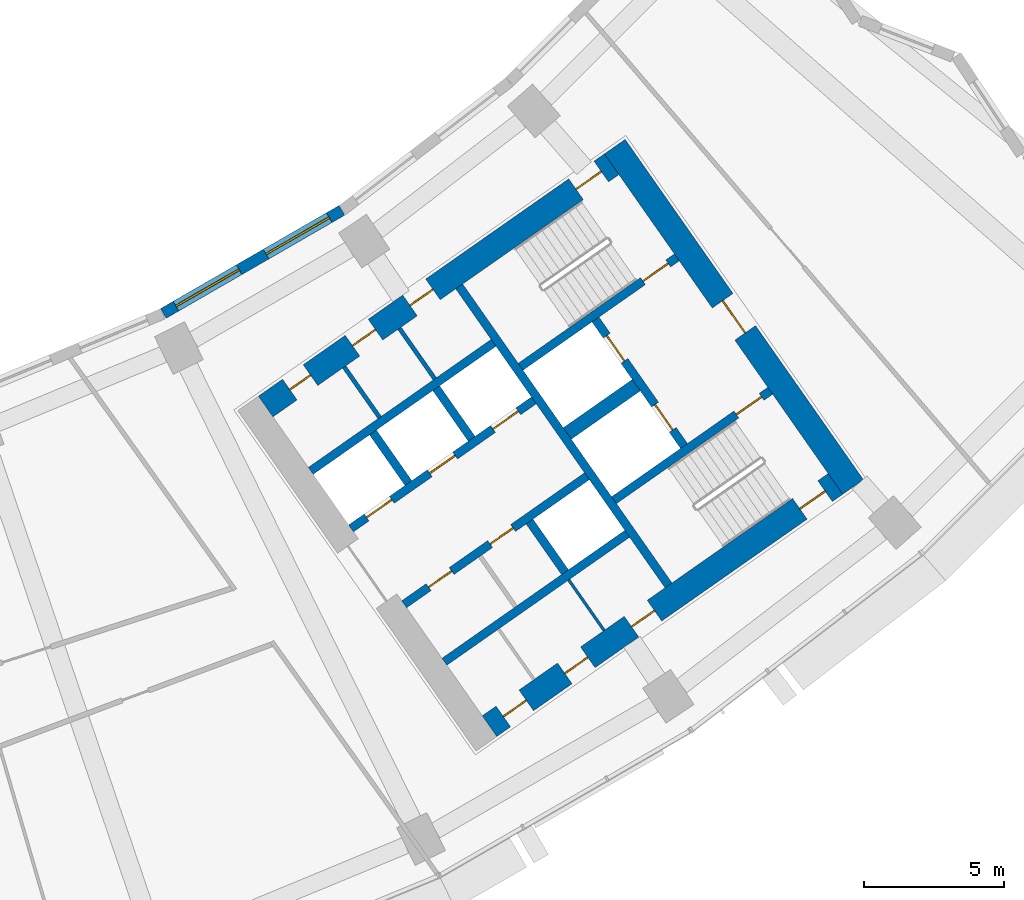
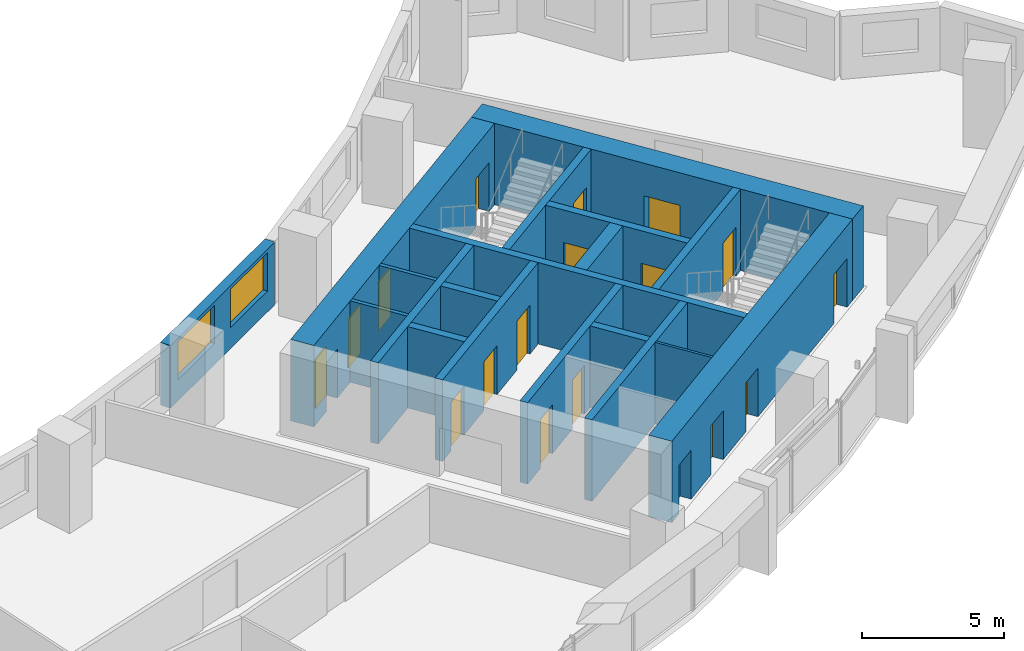
# One storey, part 7 of 29: 19 walls, 18 doors, 2 windows, 20 openings.
"""IFC4 building model written with IfcOpenShell, lengths in metres."""

from ifc_helpers import new_model, si_unit, direction, frame, frame_2d, origin, place, context, subcontext, project, spatial, rectangle, extrude, material, layer, layer_set, type_object, element, fill, save


model = new_model("IFC4")

# Units and contexts
model_context = context("Model", 3, precision=1e-05, world=origin(), true_north=direction((0.0, 1.0)))
body_context = subcontext(model_context, "Body", "Model", "MODEL_VIEW")
ifc_project = project(units=[si_unit("LENGTHUNIT", "METRE"), si_unit("AREAUNIT", "SQUARE_METRE"), si_unit("VOLUMEUNIT", "CUBIC_METRE"), si_unit("PLANEANGLEUNIT", "RADIAN"), si_unit("MASSUNIT", "GRAM", prefix="KILO")], contexts=[model_context])

# Site, building, storey
site_placement = place(None, origin())
site = spatial("IfcSite", under=ifc_project, at=site_placement, CompositionType="ELEMENT")
building_placement = place(site_placement, origin())
building = spatial("IfcBuilding", under=site, at=building_placement, Name="Qamariyya Broadcast Tower", CompositionType="ELEMENT")
storey_placement = place(building_placement, frame((0.0, 0.0, 129.10009765625)))
storey = spatial("IfcBuildingStorey", under=building, at=storey_placement, Name="L29", CompositionType="ELEMENT", Elevation=129.10009765625)

# Wall, opening, door
ifc_material_1 = material(Name="Concrete C70/85", Category="concrete")
ifc_layer_1 = layer(ifc_material_1, 0.89990234375)
ifc_layer_set_1 = layer_set([ifc_layer_1], Name="Core wall 900 mm Concrete C70/85")
wall_type_1 = type_object("IfcWallType", Name="Core wall 900 mm Concrete C70/85", PredefinedType="SHEAR", material=ifc_layer_set_1)
wall_1_placement = place(storey_placement, frame((49.778564453125, -57.191162109375, 0.0), z_axis=(0.0, 0.0, 1.0), x_axis=(-0.573577477574, 0.819151315216, 0.0)))
wall_1 = element("IfcWall", 1, at=wall_1_placement, inside=storey, type_object=wall_type_1, Name="k-E-L29-WH", PredefinedType="SHEAR", context=body_context, shape_type="SweptSolid", body=[
    extrude(rectangle(XDim=14.800048828125, YDim=0.89990234375, at=frame_2d((7.39990234375, 0.0))), origin(), (0.0, 0.0, 1.0), 3.5),
])
opening_1_placement = place(wall_1_placement, frame((6.699951171875, 0.0, 0.0)))
opening_1 = element("IfcOpeningElement", 2, at=opening_1_placement, cuts=wall_1, Name="Opening KD2-E1", PredefinedType="OPENING", context=body_context, shape_type="SweptSolid", body=[
    extrude(rectangle(XDim=1.39990234375, YDim=2.10009765625, at=frame_2d((0.699951171875, 1.050048828125))), frame((0.0, 0.4599609375, 0.0), z_axis=(0.0, -1.0, 0.0), x_axis=(1.0, 0.0, 0.0)), (0.0, 0.0, 1.0), 0.919921875),
])
ifc_material_2 = material(Name="Steel fire-resisting door leaf", Category="steel")
door_type_1 = type_object("IfcDoorType", Name="Fire-fighting lobby door KD2", OperationType="DOUBLE_DOOR_SINGLE_SWING", PredefinedType="DOOR", material=ifc_material_2)
door_1_placement = place(opening_1_placement, origin())
door_1 = element("IfcDoor", 3, at=door_1_placement, inside=storey, type_object=door_type_1, Name="k-E-L29-WH-D15", OperationType="DOUBLE_DOOR_SINGLE_SWING", OverallHeight=2.10009765625, OverallWidth=1.39990234375, PredefinedType="DOOR", context=body_context, shape_type="SweptSolid", body=[
    extrude(rectangle(XDim=1.39990234375, YDim=2.10009765625, at=frame_2d((0.699951171875, 1.050048828125))), frame((0.0, 0.02490234375, 0.0), z_axis=(0.0, -1.0, 0.0), x_axis=(1.0, 0.0, 0.0)), (0.0, 0.0, 1.0), 0.050048828125),
])
fill(opening_1, door_1)

# Wall, openings, doors
wall_2_placement = place(storey_placement, frame((28.8544921875, -54.32421875, 0.0), z_axis=(0.0, 0.0, 1.0), x_axis=(0.819145767589, 0.573585400304, 0.0)))
wall_2 = element("IfcWall", 4, at=wall_2_placement, inside=storey, type_object=wall_type_1, Name="k-E-L29-WI", PredefinedType="SHEAR", context=body_context, shape_type="SweptSolid", body=[
    extrude(rectangle(XDim=15.04541015625, YDim=0.89990234375, at=frame_2d((7.522705078125, 0.0))), origin(), (0.0, 0.0, 1.0), 3.5),
])
opening_2_placement = place(wall_2_placement, frame((1.050048828125, 0.0, 0.0)))
opening_2 = element("IfcOpeningElement", 5, at=opening_2_placement, cuts=wall_2, Name="Opening KD5-E1", PredefinedType="OPENING", context=body_context, shape_type="SweptSolid", body=[
    extrude(rectangle(XDim=0.89990234375, YDim=2.10009765625, at=frame_2d((0.449951171875, 1.050048828125))), frame((0.0, 0.4599609375, 0.0), z_axis=(0.0, -1.0, 0.0), x_axis=(1.0, 0.0, 0.0)), (0.0, 0.0, 1.0), 0.919921875),
])
opening_3_placement = place(wall_2_placement, frame((3.77490234375, 0.0, 0.0)))
opening_3 = element("IfcOpeningElement", 6, at=opening_3_placement, cuts=wall_2, Name="Opening KD7-E1", PredefinedType="OPENING", context=body_context, shape_type="SweptSolid", body=[
    extrude(rectangle(XDim=1.0, YDim=2.10009765625, at=frame_2d((0.5, 1.050048828125))), frame((0.0, 0.4599609375, 0.0), z_axis=(0.0, -1.0, 0.0), x_axis=(1.0, 0.0, 0.0)), (0.0, 0.0, 1.0), 0.919921875),
])
opening_4_placement = place(wall_2_placement, frame((6.27490234375, 0.0, 0.0)))
opening_4 = element("IfcOpeningElement", 7, at=opening_4_placement, cuts=wall_2, Name="Opening KD6-E3", PredefinedType="OPENING", context=body_context, shape_type="SweptSolid", body=[
    extrude(rectangle(XDim=1.0, YDim=2.10009765625, at=frame_2d((0.5, 1.050048828125))), frame((0.0, 0.4599609375, 0.0), z_axis=(0.0, -1.0, 0.0), x_axis=(1.0, 0.0, 0.0)), (0.0, 0.0, 1.0), 0.919921875),
])
opening_5_placement = place(wall_2_placement, frame((13.495361328125, 0.0, 0.0)))
opening_5 = element("IfcOpeningElement", 8, at=opening_5_placement, cuts=wall_2, Name="Opening KD1-E1", PredefinedType="OPENING", context=body_context, shape_type="SweptSolid", body=[
    extrude(rectangle(XDim=1.10009765625, YDim=2.10009765625, at=frame_2d((0.550048828125, 1.050048828125))), frame((0.0, 0.4599609375, 0.0), z_axis=(0.0, -1.0, 0.0), x_axis=(1.0, 0.0, 0.0)), (0.0, 0.0, 1.0), 0.919921875),
])
door_type_2 = type_object("IfcDoorType", Name="Accessible toilet door KD7", OperationType="SINGLE_SWING_LEFT", PredefinedType="DOOR", material=ifc_material_2)
door_2_placement = place(opening_3_placement, origin())
door_2 = element("IfcDoor", 9, at=door_2_placement, inside=storey, type_object=door_type_2, Name="k-E-L29-WI-D8", OperationType="SINGLE_SWING_RIGHT", OverallHeight=2.10009765625, OverallWidth=1.0, PredefinedType="DOOR", context=body_context, shape_type="SweptSolid", body=[
    extrude(rectangle(XDim=1.0, YDim=2.10009765625, at=frame_2d((0.5, 1.050048828125))), frame((0.0, 0.02490234375, 0.0), z_axis=(0.0, -1.0, 0.0), x_axis=(1.0, 0.0, 0.0)), (0.0, 0.0, 1.0), 0.050048828125),
])
fill(opening_3, door_2)
door_type_3 = type_object("IfcDoorType", Name="Core room door KD6", OperationType="SINGLE_SWING_LEFT", PredefinedType="DOOR", material=ifc_material_2)
door_3_placement = place(opening_4_placement, origin())
door_3 = element("IfcDoor", 10, at=door_3_placement, inside=storey, type_object=door_type_3, Name="k-E-L29-WI-D9", OperationType="SINGLE_SWING_LEFT", OverallHeight=2.10009765625, OverallWidth=1.0, PredefinedType="DOOR", context=body_context, shape_type="SweptSolid", body=[
    extrude(rectangle(XDim=1.0, YDim=2.10009765625, at=frame_2d((0.5, 1.050048828125))), frame((0.0, 0.02490234375, 0.0), z_axis=(0.0, -1.0, 0.0), x_axis=(1.0, 0.0, 0.0)), (0.0, 0.0, 1.0), 0.050048828125),
])
fill(opening_4, door_3)
door_type_4 = type_object("IfcDoorType", Name="Stair door KD1", OperationType="SINGLE_SWING_LEFT", PredefinedType="DOOR", material=ifc_material_2)
door_4_placement = place(opening_5_placement, origin())
door_4 = element("IfcDoor", 11, at=door_4_placement, inside=storey, type_object=door_type_4, Name="k-E-L29-WI-D16", OperationType="SINGLE_SWING_RIGHT", OverallHeight=2.10009765625, OverallWidth=1.10009765625, PredefinedType="DOOR", context=body_context, shape_type="SweptSolid", body=[
    extrude(rectangle(XDim=1.10009765625, YDim=2.10009765625, at=frame_2d((0.550048828125, 1.050048828125))), frame((0.0, 0.02490234375, 0.0), z_axis=(0.0, -1.0, 0.0), x_axis=(1.0, 0.0, 0.0)), (0.0, 0.0, 1.0), 0.050048828125),
])
fill(opening_5, door_4)
door_type_5 = type_object("IfcDoorType", Name="Toilet door KD5", OperationType="SINGLE_SWING_LEFT", PredefinedType="DOOR", material=ifc_material_2)
door_5_placement = place(opening_2_placement, origin())
door_5 = element("IfcDoor", 12, at=door_5_placement, inside=storey, type_object=door_type_5, Name="k-E-L29-WI-D7", OperationType="SINGLE_SWING_LEFT", OverallHeight=2.10009765625, OverallWidth=0.89990234375, PredefinedType="DOOR", context=body_context, shape_type="SweptSolid", body=[
    extrude(rectangle(XDim=0.89990234375, YDim=2.10009765625, at=frame_2d((0.449951171875, 1.050048828125))), frame((0.0, 0.02490234375, 0.0), z_axis=(0.0, -1.0, 0.0), x_axis=(1.0, 0.0, 0.0)), (0.0, 0.0, 1.0), 0.050048828125),
])
fill(opening_2, door_5)

wall_3_placement = place(storey_placement, frame((36.827392578125, -65.710205078125, 0.0), z_axis=(0.0, 0.0, 1.0), x_axis=(0.819153391756, 0.573574511963, 0.0)))
wall_3 = element("IfcWall", 13, at=wall_3_placement, inside=storey, type_object=wall_type_1, Name="k-E-L29-WO", PredefinedType="SHEAR", context=body_context, shape_type="SweptSolid", body=[
    extrude(rectangle(XDim=15.04541015625, YDim=0.89990234375, at=frame_2d((7.522705078125, 0.0))), origin(), (0.0, 0.0, 1.0), 3.5),
])
opening_6_placement = place(wall_3_placement, frame((0.60009765625, 0.0, 0.0)))
opening_6 = element("IfcOpeningElement", 14, at=opening_6_placement, cuts=wall_3, Name="Opening KD4-E1", PredefinedType="OPENING", context=body_context, shape_type="SweptSolid", body=[
    extrude(rectangle(XDim=1.0, YDim=2.10009765625, at=frame_2d((0.5, 1.050048828125))), frame((0.0, 0.4599609375, 0.0), z_axis=(0.0, -1.0, 0.0), x_axis=(1.0, 0.0, 0.0)), (0.0, 0.0, 1.0), 0.919921875),
])
opening_7_placement = place(wall_3_placement, frame((3.27490234375, 0.0, 0.0)))
opening_7 = element("IfcOpeningElement", 15, at=opening_7_placement, cuts=wall_3, Name="Opening KD4-E2", PredefinedType="OPENING", context=body_context, shape_type="SweptSolid", body=[
    extrude(rectangle(XDim=1.0, YDim=2.10009765625, at=frame_2d((0.5, 1.050048828125))), frame((0.0, 0.4599609375, 0.0), z_axis=(0.0, -1.0, 0.0), x_axis=(1.0, 0.0, 0.0)), (0.0, 0.0, 1.0), 0.919921875),
])
opening_8_placement = place(wall_3_placement, frame((6.175048828125, 0.0, 0.0)))
opening_8 = element("IfcOpeningElement", 16, at=opening_8_placement, cuts=wall_3, Name="Opening KD4-E3", PredefinedType="OPENING", context=body_context, shape_type="SweptSolid", body=[
    extrude(rectangle(XDim=1.0, YDim=2.10009765625, at=frame_2d((0.5, 1.050048828125))), frame((0.0, 0.4599609375, 0.0), z_axis=(0.0, -1.0, 0.0), x_axis=(1.0, 0.0, 0.0)), (0.0, 0.0, 1.0), 0.919921875),
])
opening_9_placement = place(wall_3_placement, frame((13.495361328125, 0.0, 0.0)))
opening_9 = element("IfcOpeningElement", 17, at=opening_9_placement, cuts=wall_3, Name="Opening KD1-E3", PredefinedType="OPENING", context=body_context, shape_type="SweptSolid", body=[
    extrude(rectangle(XDim=1.10009765625, YDim=2.10009765625, at=frame_2d((0.550048828125, 1.050048828125))), frame((0.0, 0.4599609375, 0.0), z_axis=(0.0, -1.0, 0.0), x_axis=(1.0, 0.0, 0.0)), (0.0, 0.0, 1.0), 0.919921875),
])
door_type_6 = type_object("IfcDoorType", Name="Riser and plant door KD4", OperationType="SINGLE_SWING_LEFT", PredefinedType="DOOR", material=ifc_material_2)
door_6_placement = place(opening_6_placement, origin())
door_6 = element("IfcDoor", 18, at=door_6_placement, inside=storey, type_object=door_type_6, Name="k-E-L29-WO-D10", OperationType="SINGLE_SWING_RIGHT", OverallHeight=2.10009765625, OverallWidth=1.0, PredefinedType="DOOR", context=body_context, shape_type="SweptSolid", body=[
    extrude(rectangle(XDim=1.0, YDim=2.10009765625, at=frame_2d((0.5, 1.050048828125))), frame((0.0, 0.02490234375, 0.0), z_axis=(0.0, -1.0, 0.0), x_axis=(1.0, 0.0, 0.0)), (0.0, 0.0, 1.0), 0.050048828125),
])
fill(opening_6, door_6)
door_7_placement = place(opening_7_placement, origin())
door_7 = element("IfcDoor", 19, at=door_7_placement, inside=storey, type_object=door_type_6, Name="k-E-L29-WO-D11", OperationType="SINGLE_SWING_LEFT", OverallHeight=2.10009765625, OverallWidth=1.0, PredefinedType="DOOR", context=body_context, shape_type="SweptSolid", body=[
    extrude(rectangle(XDim=1.0, YDim=2.10009765625, at=frame_2d((0.5, 1.050048828125))), frame((0.0, 0.02490234375, 0.0), z_axis=(0.0, -1.0, 0.0), x_axis=(1.0, 0.0, 0.0)), (0.0, 0.0, 1.0), 0.050048828125),
])
fill(opening_7, door_7)
door_8_placement = place(opening_8_placement, origin())
door_8 = element("IfcDoor", 20, at=door_8_placement, inside=storey, type_object=door_type_6, Name="k-E-L29-WO-D12", OperationType="SINGLE_SWING_RIGHT", OverallHeight=2.10009765625, OverallWidth=1.0, PredefinedType="DOOR", context=body_context, shape_type="SweptSolid", body=[
    extrude(rectangle(XDim=1.0, YDim=2.10009765625, at=frame_2d((0.5, 1.050048828125))), frame((0.0, 0.02490234375, 0.0), z_axis=(0.0, -1.0, 0.0), x_axis=(1.0, 0.0, 0.0)), (0.0, 0.0, 1.0), 0.050048828125),
])
fill(opening_8, door_8)
door_9_placement = place(opening_9_placement, origin())
door_9 = element("IfcDoor", 21, at=door_9_placement, inside=storey, type_object=door_type_4, Name="k-E-L29-WO-D18", OperationType="SINGLE_SWING_LEFT", OverallHeight=2.10009765625, OverallWidth=1.10009765625, PredefinedType="DOOR", context=body_context, shape_type="SweptSolid", body=[
    extrude(rectangle(XDim=1.10009765625, YDim=2.10009765625, at=frame_2d((0.550048828125, 1.050048828125))), frame((0.0, 0.02490234375, 0.0), z_axis=(0.0, -1.0, 0.0), x_axis=(1.0, 0.0, 0.0)), (0.0, 0.0, 1.0), 0.050048828125),
])
fill(opening_9, door_9)

# Walls
ifc_material_3 = material(Name="Concrete C60/75", Category="concrete")
ifc_layer_2 = layer(ifc_material_3, 0.5)
ifc_layer_set_2 = layer_set([ifc_layer_2], Name="Fire-fighting lobby divider wall 500 mm Concrete C60/75")
wall_type_2 = type_object("IfcWallType", Name="Fire-fighting lobby divider wall 500 mm Concrete C60/75", PredefinedType="SOLIDWALL", material=ifc_layer_set_2)
wall_4_placement = place(storey_placement, frame((39.59912109375, -55.28515625, 0.0), z_axis=(0.0, 0.0, 1.0), x_axis=(0.819136323161, 0.573598887793, 0.0)))
element("IfcWall", 22, at=wall_4_placement, inside=storey, type_object=wall_type_2, Name="k-E-L29-FD", PredefinedType="SOLIDWALL", context=body_context, shape_type="SweptSolid", body=[
    extrude(rectangle(XDim=2.999755859375, YDim=0.5, at=frame_2d((1.5, 0.0))), origin(), (0.0, 0.0, 1.0), 3.5),
])
ifc_material_4 = material(Name="Gypsum board partition on steel studs", Category="steel")
ifc_layer_3 = layer(ifc_material_4, 0.14990234375)
ifc_layer_set_3 = layer_set([ifc_layer_3], Name="Gypsum board partition 150 mm")
wall_type_3 = type_object("IfcWallType", Name="Gypsum board partition 150 mm", PredefinedType="PARTITIONING", material=ifc_layer_set_3)
wall_5_placement = place(storey_placement, frame((32.9140625, -54.716796875, 0.0), z_axis=(0.0, 0.0, 1.0), x_axis=(-0.573581496053, 0.819148501424, 0.0)))
element("IfcWall", 23, at=wall_5_placement, inside=storey, type_object=wall_type_3, Name="k-E-L29-NP310", PredefinedType="PARTITIONING", context=body_context, shape_type="SweptSolid", body=[
    extrude(rectangle(XDim=2.2001953125, YDim=0.14990234375, at=frame_2d((1.10009765625, 0.0))), origin(), (0.0, 0.0, 1.0), 3.5),
])
wall_6_placement = place(storey_placement, frame((34.8798828125, -53.340087890625, 0.0), z_axis=(0.0, 0.0, 1.0), x_axis=(-0.573559170999, 0.819164133348, 0.0)))
element("IfcWall", 24, at=wall_6_placement, inside=storey, type_object=wall_type_3, Name="k-E-L29-NP550", PredefinedType="PARTITIONING", context=body_context, shape_type="SweptSolid", body=[
    extrude(rectangle(XDim=2.19970703125, YDim=0.14990234375, at=frame_2d((1.099853515625, 0.0))), origin(), (0.0, 0.0, 1.0), 3.5),
])
ifc_layer_4 = layer(ifc_material_3, 0.300048828125)
ifc_layer_set_4 = layer_set([ifc_layer_4], Name="Lift shaft wall 300 mm Concrete C60/75")
wall_type_4 = type_object("IfcWallType", Name="Lift shaft wall 300 mm Concrete C60/75", PredefinedType="SOLIDWALL", material=ifc_layer_set_4)
wall_7_placement = place(storey_placement, frame((43.204345703125, -60.69580078125, 0.0), z_axis=(0.0, 0.0, 1.0), x_axis=(-0.573571992966, 0.819155155563, 0.0)))
element("IfcWall", 25, at=wall_7_placement, inside=storey, type_object=wall_type_4, Name="k-E-L29-WL", PredefinedType="SOLIDWALL", context=body_context, shape_type="SweptSolid", body=[
    extrude(rectangle(XDim=13.000244140625, YDim=0.300048828125, at=frame_2d((6.5, 0.0))), origin(), (0.0, 0.0, 1.0), 3.5),
])

# Wall, openings, doors
wall_8_placement = place(storey_placement, frame((31.89453125, -58.66552734375, 0.0), z_axis=(0.0, 0.0, 1.0), x_axis=(0.819166993208, 0.573555086491, 0.0)))
wall_8 = element("IfcWall", 26, at=wall_8_placement, inside=storey, type_object=wall_type_4, Name="k-E-L29-NF0", PredefinedType="SOLIDWALL", context=body_context, shape_type="SweptSolid", body=[
    extrude(rectangle(XDim=7.9501953125, YDim=0.300048828125, at=frame_2d((3.97509765625, 0.0))), origin(), (0.0, 0.0, 1.0), 3.5),
])
opening_10_placement = place(wall_8_placement, frame((0.675048828125, 0.0, 0.0)))
opening_10 = element("IfcOpeningElement", 27, at=opening_10_placement, cuts=wall_8, Name="Opening LD", PredefinedType="OPENING", context=body_context, shape_type="SweptSolid", body=[
    extrude(rectangle(XDim=1.10009765625, YDim=2.10009765625, at=frame_2d((0.550048828125, 1.050048828125))), frame((0.0, 0.159912109375, 0.0), z_axis=(0.0, -1.0, 0.0), x_axis=(1.0, 0.0, 0.0)), (0.0, 0.0, 1.0), 0.320068359375),
])
opening_11_placement = place(wall_8_placement, frame((3.425048828125, 0.0, 0.0)))
opening_11 = element("IfcOpeningElement", 28, at=opening_11_placement, cuts=wall_8, Name="Opening LD", PredefinedType="OPENING", context=body_context, shape_type="SweptSolid", body=[
    extrude(rectangle(XDim=1.10009765625, YDim=2.10009765625, at=frame_2d((0.550048828125, 1.050048828125))), frame((0.0, 0.159912109375, 0.0), z_axis=(0.0, -1.0, 0.0), x_axis=(1.0, 0.0, 0.0)), (0.0, 0.0, 1.0), 0.320068359375),
])
opening_12_placement = place(wall_8_placement, frame((6.175048828125, 0.0, 0.0)))
opening_12 = element("IfcOpeningElement", 29, at=opening_12_placement, cuts=wall_8, Name="Opening LD", PredefinedType="OPENING", context=body_context, shape_type="SweptSolid", body=[
    extrude(rectangle(XDim=1.10009765625, YDim=2.10009765625, at=frame_2d((0.550048828125, 1.050048828125))), frame((0.0, 0.159912109375, 0.0), z_axis=(0.0, -1.0, 0.0), x_axis=(1.0, 0.0, 0.0)), (0.0, 0.0, 1.0), 0.320068359375),
])
door_type_7 = type_object("IfcDoorType", Name="Lift landing door LD", OperationType="DOUBLE_DOOR_SLIDING", PredefinedType="DOOR", material=ifc_material_2)
door_10_placement = place(opening_10_placement, origin())
door_10 = element("IfcDoor", 30, at=door_10_placement, inside=storey, type_object=door_type_7, Name="k-E-L29-NF0-D2", OperationType="DOUBLE_DOOR_SLIDING", OverallHeight=2.10009765625, OverallWidth=1.10009765625, PredefinedType="DOOR", context=body_context, shape_type="SweptSolid", body=[
    extrude(rectangle(XDim=1.10009765625, YDim=2.10009765625, at=frame_2d((0.550048828125, 1.050048828125))), frame((0.0, 0.02490234375, 0.0), z_axis=(0.0, -1.0, 0.0), x_axis=(1.0, 0.0, 0.0)), (0.0, 0.0, 1.0), 0.050048828125),
])
fill(opening_10, door_10)
door_11_placement = place(opening_11_placement, origin())
door_11 = element("IfcDoor", 31, at=door_11_placement, inside=storey, type_object=door_type_7, Name="k-E-L29-NF0-D3", OperationType="DOUBLE_DOOR_SLIDING", OverallHeight=2.10009765625, OverallWidth=1.10009765625, PredefinedType="DOOR", context=body_context, shape_type="SweptSolid", body=[
    extrude(rectangle(XDim=1.10009765625, YDim=2.10009765625, at=frame_2d((0.550048828125, 1.050048828125))), frame((0.0, 0.02490234375, 0.0), z_axis=(0.0, -1.0, 0.0), x_axis=(1.0, 0.0, 0.0)), (0.0, 0.0, 1.0), 0.050048828125),
])
fill(opening_11, door_11)
door_12_placement = place(opening_12_placement, origin())
door_12 = element("IfcDoor", 32, at=door_12_placement, inside=storey, type_object=door_type_7, Name="k-E-L29-NF0-D4", OperationType="DOUBLE_DOOR_SLIDING", OverallHeight=2.10009765625, OverallWidth=1.10009765625, PredefinedType="DOOR", context=body_context, shape_type="SweptSolid", body=[
    extrude(rectangle(XDim=1.10009765625, YDim=2.10009765625, at=frame_2d((0.550048828125, 1.050048828125))), frame((0.0, 0.02490234375, 0.0), z_axis=(0.0, -1.0, 0.0), x_axis=(1.0, 0.0, 0.0)), (0.0, 0.0, 1.0), 0.050048828125),
])
fill(opening_12, door_12)

# Walls
wall_9_placement = place(storey_placement, frame((30.460693359375, -56.61767578125, 0.0), z_axis=(0.0, 0.0, 1.0), x_axis=(0.819142461705, 0.573590121456, 0.0)))
element("IfcWall", 33, at=wall_9_placement, inside=storey, type_object=wall_type_4, Name="k-E-L29-NB0", PredefinedType="SOLIDWALL", context=body_context, shape_type="SweptSolid", body=[
    extrude(rectangle(XDim=7.949951171875, YDim=0.300048828125, at=frame_2d((3.97509765625, 0.0))), origin(), (0.0, 0.0, 1.0), 3.5),
])
wall_10_placement = place(storey_placement, frame((33.9384765625, -57.051513671875, 0.0), z_axis=(0.0, 0.0, 1.0), x_axis=(-0.573581496053, 0.819148501424, 0.0)))
element("IfcWall", 34, at=wall_10_placement, inside=storey, type_object=wall_type_4, Name="k-E-L29-ND0", PredefinedType="SOLIDWALL", context=body_context, shape_type="SweptSolid", body=[
    extrude(rectangle(XDim=2.2001953125, YDim=0.300048828125, at=frame_2d((1.10009765625, 0.0))), origin(), (0.0, 0.0, 1.0), 3.5),
])
wall_11_placement = place(storey_placement, frame((36.19091796875, -55.47412109375, 0.0), z_axis=(0.0, 0.0, 1.0), x_axis=(-0.573507030513, 0.819200638399, 0.0)))
element("IfcWall", 35, at=wall_11_placement, inside=storey, type_object=wall_type_4, Name="k-E-L29-ND1", PredefinedType="SOLIDWALL", context=body_context, shape_type="SweptSolid", body=[
    extrude(rectangle(XDim=2.199951171875, YDim=0.300048828125, at=frame_2d((1.10009765625, 0.0))), origin(), (0.0, 0.0, 1.0), 3.5),
])

# Wall, openings, doors
wall_12_placement = place(storey_placement, frame((33.787353515625, -61.368896484375, 0.0), z_axis=(0.0, 0.0, 1.0), x_axis=(0.819152564888, 0.573575692858, 0.0)))
wall_12 = element("IfcWall", 36, at=wall_12_placement, inside=storey, type_object=wall_type_4, Name="k-E-L29-SF0", PredefinedType="SOLIDWALL", context=body_context, shape_type="SweptSolid", body=[
    extrude(rectangle(XDim=7.9501953125, YDim=0.300048828125, at=frame_2d((3.97509765625, 0.0))), origin(), (0.0, 0.0, 1.0), 3.5),
])
opening_13_placement = place(wall_12_placement, frame((1.0625, 0.0, 0.0)))
opening_13 = element("IfcOpeningElement", 37, at=opening_13_placement, cuts=wall_12, Name="Opening KD6-E1", PredefinedType="OPENING", context=body_context, shape_type="SweptSolid", body=[
    extrude(rectangle(XDim=1.0, YDim=2.10009765625, at=frame_2d((0.5, 1.050048828125))), frame((0.0, 0.159912109375, 0.0), z_axis=(0.0, -1.0, 0.0), x_axis=(1.0, 0.0, 0.0)), (0.0, 0.0, 1.0), 0.320068359375),
])
opening_14_placement = place(wall_12_placement, frame((3.737548828125, 0.0, 0.0)))
opening_14 = element("IfcOpeningElement", 38, at=opening_14_placement, cuts=wall_12, Name="Opening KD6-E2", PredefinedType="OPENING", context=body_context, shape_type="SweptSolid", body=[
    extrude(rectangle(XDim=1.0, YDim=2.10009765625, at=frame_2d((0.5, 1.050048828125))), frame((0.0, 0.159912109375, 0.0), z_axis=(0.0, -1.0, 0.0), x_axis=(1.0, 0.0, 0.0)), (0.0, 0.0, 1.0), 0.320068359375),
])
door_13_placement = place(opening_13_placement, origin())
door_13 = element("IfcDoor", 39, at=door_13_placement, inside=storey, type_object=door_type_3, Name="k-E-L29-SF0-D5", OperationType="SINGLE_SWING_LEFT", OverallHeight=2.10009765625, OverallWidth=1.0, PredefinedType="DOOR", context=body_context, shape_type="SweptSolid", body=[
    extrude(rectangle(XDim=1.0, YDim=2.10009765625, at=frame_2d((0.5, 1.050048828125))), frame((0.0, 0.02490234375, 0.0), z_axis=(0.0, -1.0, 0.0), x_axis=(1.0, 0.0, 0.0)), (0.0, 0.0, 1.0), 0.050048828125),
])
fill(opening_13, door_13)
door_14_placement = place(opening_14_placement, origin())
door_14 = element("IfcDoor", 40, at=door_14_placement, inside=storey, type_object=door_type_3, Name="k-E-L29-SF0-D6", OperationType="SINGLE_SWING_RIGHT", OverallHeight=2.10009765625, OverallWidth=1.0, PredefinedType="DOOR", context=body_context, shape_type="SweptSolid", body=[
    extrude(rectangle(XDim=1.0, YDim=2.10009765625, at=frame_2d((0.5, 1.050048828125))), frame((0.0, 0.02490234375, 0.0), z_axis=(0.0, -1.0, 0.0), x_axis=(1.0, 0.0, 0.0)), (0.0, 0.0, 1.0), 0.050048828125),
])
fill(opening_14, door_14)

# Walls
wall_13_placement = place(storey_placement, frame((35.22119140625, -63.41650390625, 0.0), z_axis=(0.0, 0.0, 1.0), x_axis=(0.819166993208, 0.573555086491, 0.0)))
element("IfcWall", 41, at=wall_13_placement, inside=storey, type_object=wall_type_4, Name="k-E-L29-SB0", PredefinedType="SOLIDWALL", context=body_context, shape_type="SweptSolid", body=[
    extrude(rectangle(XDim=7.9501953125, YDim=0.300048828125, at=frame_2d((3.97509765625, 0.0))), origin(), (0.0, 0.0, 1.0), 3.5),
])
wall_14_placement = place(storey_placement, frame((38.255859375, -58.423095703125, 0.0), z_axis=(0.0, 0.0, 1.0), x_axis=(0.573633636671, -0.819111989218, 0.0)))
element("IfcWall", 42, at=wall_14_placement, inside=storey, type_object=wall_type_4, Name="k-E-L29-SD1", PredefinedType="SOLIDWALL", context=body_context, shape_type="SweptSolid", body=[
    extrude(rectangle(XDim=2.199951171875, YDim=0.300048828125, at=frame_2d((1.10009765625, 0.0))), origin(), (0.0, 0.0, 1.0), 3.5),
])

# Wall, opening, door
wall_15_placement = place(storey_placement, frame((37.935546875, -52.90966796875, 0.0), z_axis=(0.0, 0.0, 1.0), x_axis=(0.819147518138, 0.57358290031, 0.0)))
wall_15 = element("IfcWall", 43, at=wall_15_placement, inside=storey, type_object=wall_type_4, Name="k-E-L29-NW", PredefinedType="SOLIDWALL", context=body_context, shape_type="SweptSolid", body=[
    extrude(rectangle(XDim=6.79541015625, YDim=0.300048828125, at=frame_2d((3.397705078125, 0.0))), origin(), (0.0, 0.0, 1.0), 3.5),
])
opening_15_placement = place(wall_15_placement, frame((5.3203125, 0.0, 0.0)))
opening_15 = element("IfcOpeningElement", 44, at=opening_15_placement, cuts=wall_15, Name="Opening KD1-E2", PredefinedType="OPENING", context=body_context, shape_type="SweptSolid", body=[
    extrude(rectangle(XDim=1.10009765625, YDim=2.10009765625, at=frame_2d((0.550048828125, 1.050048828125))), frame((0.0, 0.159912109375, 0.0), z_axis=(0.0, -1.0, 0.0), x_axis=(1.0, 0.0, 0.0)), (0.0, 0.0, 1.0), 0.320068359375),
])
door_15_placement = place(opening_15_placement, origin())
door_15 = element("IfcDoor", 45, at=door_15_placement, inside=storey, type_object=door_type_4, Name="k-E-L29-NW-D17", OperationType="SINGLE_SWING_LEFT", OverallHeight=2.10009765625, OverallWidth=1.10009765625, PredefinedType="DOOR", context=body_context, shape_type="SweptSolid", body=[
    extrude(rectangle(XDim=1.10009765625, YDim=2.10009765625, at=frame_2d((0.550048828125, 1.050048828125))), frame((0.0, 0.02490234375, 0.0), z_axis=(0.0, -1.0, 0.0), x_axis=(1.0, 0.0, 0.0)), (0.0, 0.0, 1.0), 0.050048828125),
])
fill(opening_15, door_15)

wall_16_placement = place(storey_placement, frame((41.262451171875, -57.66064453125, 0.0), z_axis=(0.0, 0.0, 1.0), x_axis=(0.819164398642, 0.573558792102, 0.0)))
wall_16 = element("IfcWall", 46, at=wall_16_placement, inside=storey, type_object=wall_type_4, Name="k-E-L29-SW", PredefinedType="SOLIDWALL", context=body_context, shape_type="SweptSolid", body=[
    extrude(rectangle(XDim=6.795166015625, YDim=0.300048828125, at=frame_2d((3.3974609375, 0.0))), origin(), (0.0, 0.0, 1.0), 3.5),
])
opening_16_placement = place(wall_16_placement, frame((5.3203125, 0.0, 0.0)))
opening_16 = element("IfcOpeningElement", 47, at=opening_16_placement, cuts=wall_16, Name="Opening KD1-E4", PredefinedType="OPENING", context=body_context, shape_type="SweptSolid", body=[
    extrude(rectangle(XDim=1.10009765625, YDim=2.10009765625, at=frame_2d((0.550048828125, 1.050048828125))), frame((0.0, 0.159912109375, 0.0), z_axis=(0.0, -1.0, 0.0), x_axis=(1.0, 0.0, 0.0)), (0.0, 0.0, 1.0), 0.320068359375),
])
door_16_placement = place(opening_16_placement, origin())
door_16 = element("IfcDoor", 48, at=door_16_placement, inside=storey, type_object=door_type_4, Name="k-E-L29-SW-D19", OperationType="SINGLE_SWING_LEFT", OverallHeight=2.10009765625, OverallWidth=1.10009765625, PredefinedType="DOOR", context=body_context, shape_type="SweptSolid", body=[
    extrude(rectangle(XDim=1.10009765625, YDim=2.10009765625, at=frame_2d((0.550048828125, 1.050048828125))), frame((0.0, 0.02490234375, 0.0), z_axis=(0.0, -1.0, 0.0), x_axis=(1.0, 0.0, 0.0)), (0.0, 0.0, 1.0), 0.050048828125),
])
fill(opening_16, door_16)

# Wall, openings, doors
wall_17_placement = place(storey_placement, frame((43.756591796875, -55.731201171875, 0.0), z_axis=(0.0, 0.0, 1.0), x_axis=(-0.573536818435, 0.819179783625, 0.0)))
wall_17 = element("IfcWall", 49, at=wall_17_placement, inside=storey, type_object=wall_type_4, Name="k-E-L29-FF", PredefinedType="SOLIDWALL", context=body_context, shape_type="SweptSolid", body=[
    extrude(rectangle(XDim=5.500244140625, YDim=0.300048828125, at=frame_2d((2.75, 0.0))), origin(), (0.0, 0.0, 1.0), 3.5),
])
opening_17_placement = place(wall_17_placement, frame((0.699951171875, 0.0, 0.0)))
opening_17 = element("IfcOpeningElement", 50, at=opening_17_placement, cuts=wall_17, Name="Opening LD", PredefinedType="OPENING", context=body_context, shape_type="SweptSolid", body=[
    extrude(rectangle(XDim=1.10009765625, YDim=2.10009765625, at=frame_2d((0.550048828125, 1.050048828125))), frame((0.0, 0.159912109375, 0.0), z_axis=(0.0, -1.0, 0.0), x_axis=(1.0, 0.0, 0.0)), (0.0, 0.0, 1.0), 0.320068359375),
])
opening_18_placement = place(wall_17_placement, frame((3.699951171875, 0.0, 0.0)))
opening_18 = element("IfcOpeningElement", 51, at=opening_18_placement, cuts=wall_17, Name="Opening LD", PredefinedType="OPENING", context=body_context, shape_type="SweptSolid", body=[
    extrude(rectangle(XDim=1.10009765625, YDim=2.10009765625, at=frame_2d((0.550048828125, 1.050048828125))), frame((0.0, 0.159912109375, 0.0), z_axis=(0.0, -1.0, 0.0), x_axis=(1.0, 0.0, 0.0)), (0.0, 0.0, 1.0), 0.320068359375),
])
door_17_placement = place(opening_17_placement, origin())
door_17 = element("IfcDoor", 52, at=door_17_placement, inside=storey, type_object=door_type_7, Name="k-E-L29-FF-D13", OperationType="DOUBLE_DOOR_SLIDING", OverallHeight=2.10009765625, OverallWidth=1.10009765625, PredefinedType="DOOR", context=body_context, shape_type="SweptSolid", body=[
    extrude(rectangle(XDim=1.10009765625, YDim=2.10009765625, at=frame_2d((0.550048828125, 1.050048828125))), frame((0.0, 0.02490234375, 0.0), z_axis=(0.0, -1.0, 0.0), x_axis=(1.0, 0.0, 0.0)), (0.0, 0.0, 1.0), 0.050048828125),
])
fill(opening_17, door_17)
door_18_placement = place(opening_18_placement, origin())
door_18 = element("IfcDoor", 53, at=door_18_placement, inside=storey, type_object=door_type_7, Name="k-E-L29-FF-D14", OperationType="DOUBLE_DOOR_SLIDING", OverallHeight=2.10009765625, OverallWidth=1.10009765625, PredefinedType="DOOR", context=body_context, shape_type="SweptSolid", body=[
    extrude(rectangle(XDim=1.10009765625, YDim=2.10009765625, at=frame_2d((0.550048828125, 1.050048828125))), frame((0.0, 0.02490234375, 0.0), z_axis=(0.0, -1.0, 0.0), x_axis=(1.0, 0.0, 0.0)), (0.0, 0.0, 1.0), 0.050048828125),
])
fill(opening_18, door_18)

# Wall
ifc_material_5 = material(Name="Fire-rated gypsum shaft liner on steel studs", Category="steel")
ifc_layer_5 = layer(ifc_material_5, 0.10009765625)
ifc_layer_set_5 = layer_set([ifc_layer_5], Name="Riser wall 100 mm")
wall_type_5 = type_object("IfcWallType", Name="Riser wall 100 mm", PredefinedType="PLUMBINGWALL", material=ifc_layer_set_5)
wall_18_placement = place(storey_placement, frame((39.64892578125, -60.49951171875, 0.0), z_axis=(0.0, 0.0, 1.0), x_axis=(0.573507030513, -0.819200638399, 0.0)))
element("IfcWall", 54, at=wall_18_placement, inside=storey, type_object=wall_type_5, Name="k-E-L29-SP530", PredefinedType="PLUMBINGWALL", context=body_context, shape_type="SweptSolid", body=[
    extrude(rectangle(XDim=2.199951171875, YDim=0.10009765625, at=frame_2d((1.10009765625, 0.0))), origin(), (0.0, 0.0, 1.0), 3.5),
])

# Wall, openings, windows
ifc_material_6 = material(Name="Terracotta", Category="masonry")
ifc_layer_6 = layer(ifc_material_6, 0.39990234375)
ifc_layer_set_6 = layer_set([ifc_layer_6], Name="Terracotta clad wall 400")
wall_type_6 = type_object("IfcWallType", Name="Terracotta clad wall 400", PredefinedType="SOLIDWALL", material=ifc_layer_set_6)
wall_19_placement = place(storey_placement, frame((31.568359375, -47.33642578125, 0.0), z_axis=(0.0, 0.0, 1.0), x_axis=(-0.866030525931, -0.499991128077, 0.0)))
wall_19 = element("IfcWall", 55, at=wall_19_placement, inside=storey, type_object=wall_type_6, Name="e-wl-L29-in130", PredefinedType="SOLIDWALL", context=body_context, shape_type="SweptSolid", body=[
    extrude(rectangle(XDim=7.341552734375, YDim=0.39990234375, at=frame_2d((3.6708984375, 0.0))), origin(), (0.0, 0.0, 1.0), 2.699951171875),
])
opening_19_placement = place(wall_19_placement, frame((4.224853515625, 0.0, 0.89990234375)))
opening_19 = element("IfcOpeningElement", 56, at=opening_19_placement, cuts=wall_19, Name="Opening W1", PredefinedType="OPENING", context=body_context, shape_type="SweptSolid", body=[
    extrude(rectangle(XDim=2.60009765625, YDim=1.64990234375, at=frame_2d((1.300048828125, 0.824951171875))), frame((0.0, 0.2099609375, 0.0), z_axis=(0.0, -1.0, 0.0), x_axis=(1.0, 0.0, 0.0)), (0.0, 0.0, 1.0), 0.419921875),
])
opening_20_placement = place(wall_19_placement, frame((0.5166015625, 0.0, 0.89990234375)))
opening_20 = element("IfcOpeningElement", 57, at=opening_20_placement, cuts=wall_19, Name="Opening W1", PredefinedType="OPENING", context=body_context, shape_type="SweptSolid", body=[
    extrude(rectangle(XDim=2.60009765625, YDim=1.64990234375, at=frame_2d((1.300048828125, 0.824951171875))), frame((0.0, 0.2099609375, 0.0), z_axis=(0.0, -1.0, 0.0), x_axis=(1.0, 0.0, 0.0)), (0.0, 0.0, 1.0), 0.419921875),
])
ifc_material_7 = material(Name="Clear low-e double glazed unit in aluminium frame", Category="aluminium")
window_type = type_object("IfcWindowType", Name="Ribbon window 2600 x 1650", PartitioningType="SINGLE_PANEL", PredefinedType="WINDOW", material=ifc_material_7)
window_1_placement = place(opening_19_placement, origin())
window_1 = element("IfcWindow", 58, at=window_1_placement, inside=storey, type_object=window_type, Name="e-w-L29-in13-0", OverallHeight=1.64990234375, OverallWidth=2.60009765625, PartitioningType="SINGLE_PANEL", PredefinedType="WINDOW", context=body_context, shape_type="SweptSolid", body=[
    extrude(rectangle(XDim=2.60009765625, YDim=1.64990234375, at=frame_2d((1.300048828125, 0.824951171875))), frame((0.0, 0.030029296875, 0.0), z_axis=(0.0, -1.0, 0.0), x_axis=(1.0, 0.0, 0.0)), (0.0, 0.0, 1.0), 0.06005859375),
])
fill(opening_19, window_1)
window_2_placement = place(opening_20_placement, origin())
window_2 = element("IfcWindow", 59, at=window_2_placement, inside=storey, type_object=window_type, Name="e-w-L29-in13-1", OverallHeight=1.64990234375, OverallWidth=2.60009765625, PartitioningType="SINGLE_PANEL", PredefinedType="WINDOW", context=body_context, shape_type="SweptSolid", body=[
    extrude(rectangle(XDim=2.60009765625, YDim=1.64990234375, at=frame_2d((1.300048828125, 0.824951171875))), frame((0.0, 0.030029296875, 0.0), z_axis=(0.0, -1.0, 0.0), x_axis=(1.0, 0.0, 0.0)), (0.0, 0.0, 1.0), 0.06005859375),
])
fill(opening_20, window_2)

save(model, "model.ifc")
